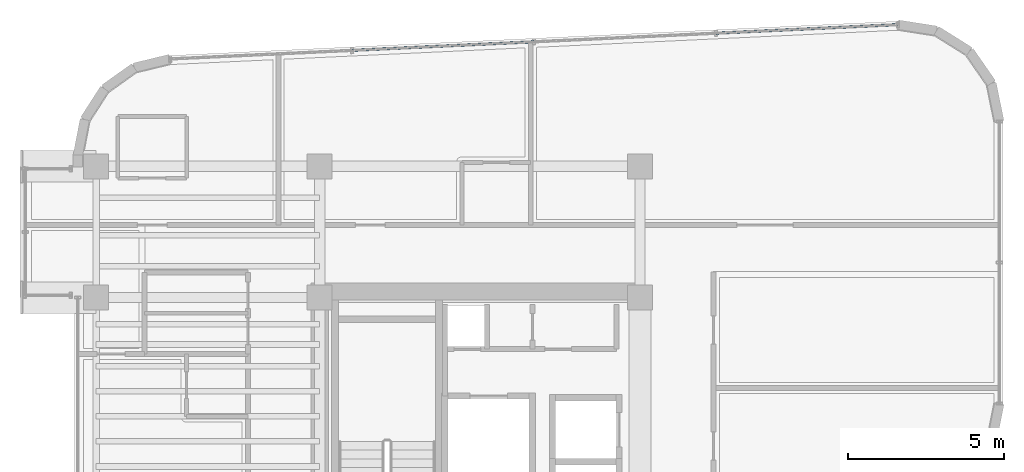
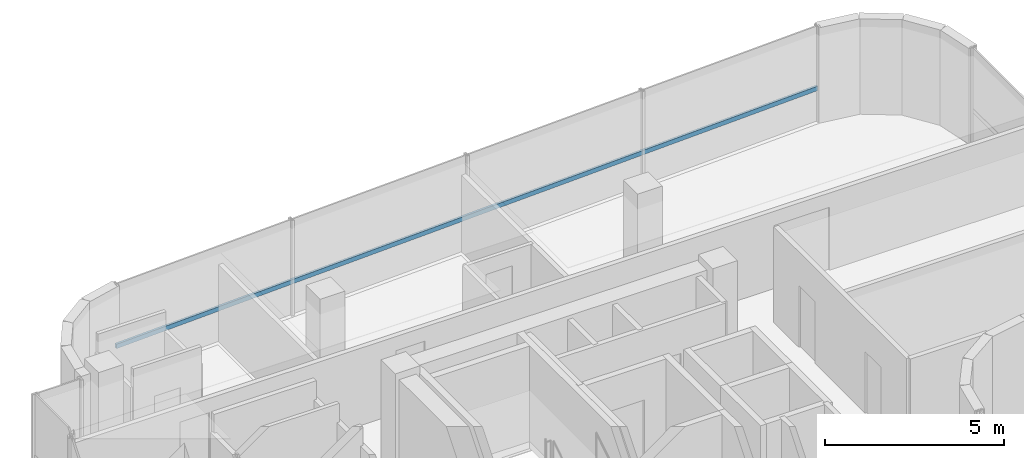
# One storey, part 13 of 20: 1 member, 1 element without a shape of its own.
"""IFC4 building model written with IfcOpenShell, lengths in metres."""

from ifc_helpers import new_model, si_unit, direction, frame, origin, origin_2d, place, context, subcontext, project, spatial, hollow_rectangle, extrude, source, transform, mapped, material, material_profile, profile_set, type_object, element, aggregate, save


model = new_model("IFC4")

# Units and contexts
model_context = context("Model", 3, precision=1e-05, world=origin(), true_north=direction((0.0, 1.0)))
body_context = subcontext(model_context, "Body", "Model", "MODEL_VIEW")
ifc_project = project(units=[si_unit("LENGTHUNIT", "METRE"), si_unit("AREAUNIT", "SQUARE_METRE"), si_unit("VOLUMEUNIT", "CUBIC_METRE"), si_unit("PLANEANGLEUNIT", "RADIAN"), si_unit("MASSUNIT", "GRAM", prefix="KILO")], contexts=[model_context])

# Site, building, storey
site_placement = place(None, origin())
site = spatial("IfcSite", under=ifc_project, at=site_placement, CompositionType="ELEMENT")
building_placement = place(site_placement, origin())
building = spatial("IfcBuilding", under=site, at=building_placement, Name="Valdorenza Pilgrim Sanctuary Tower", CompositionType="ELEMENT")
storey_placement = place(building_placement, frame((0.0, 0.0, 283.5)))
storey = spatial("IfcBuildingStorey", under=building, at=storey_placement, Name="L74", CompositionType="ELEMENT", Elevation=283.5)

# Curtain wall, member
ifc_material_1 = material(Name="Curtain-wall IGU glazing", Category="glass")
curtain_wall_type = type_object("IfcCurtainWallType", Name="CW-SYS-02", PredefinedType="NOTDEFINED", material=ifc_material_1)
curtain_wall_placement = place(storey_placement, origin())
curtain_wall = element("IfcCurtainWall", 1, at=curtain_wall_placement, inside=storey, type_object=curtain_wall_type, Name="L74 Curtain Wall CW-L74-1-6", PredefinedType="NOTDEFINED")
ifc_material_2 = material(Name="Anodised aluminium AW-6060", Category="aluminium")
ifc_material_profile = material_profile(ifc_material_2, hollow_rectangle(XDim=0.074951171875, YDim=0.14990234375, WallThickness=0.00390625, at=origin_2d()), Name="ALU-T 150x75x4")
ifc_profile_set = profile_set([ifc_material_profile], Name="Anodised aluminium AW-6060")
member_type = type_object("IfcMemberType", Name="CW-TRN-02", PredefinedType="USERDEFINED", material=ifc_profile_set)
shared_shape = source(origin(), body_context, "Body", "SweptSolid", [
    extrude(hollow_rectangle(XDim=0.074951171875, YDim=0.14990234375, WallThickness=0.00390625, at=origin_2d()), origin(), (0.0, 0.0, 1.0), 23.30419921875),
])
member_placement = place(storey_placement, frame((-27.43505859375, 18.234375, 1.1201171875), z_axis=(0.998890613053, 0.04709079693, 0.0), x_axis=(-0.04709079693, 0.998890613053, 0.0)))
member = element("IfcMember", 2, at=member_placement, type_object=member_type, Name="CW-L74-1-6 Transom 1", ObjectType="TRANSOM", PredefinedType="USERDEFINED", context=body_context, shape_type="MappedRepresentation", body=[
    mapped(shared_shape, transform((0.0, 0.0, 0.0), x_axis=(1.0, 0.0, 0.0), y_axis=(0.0, 1.0, 0.0), z_axis=(0.0, 0.0, 1.0), scale=1.0)),
])
aggregate(curtain_wall, [member])

save(model, "model.ifc")
